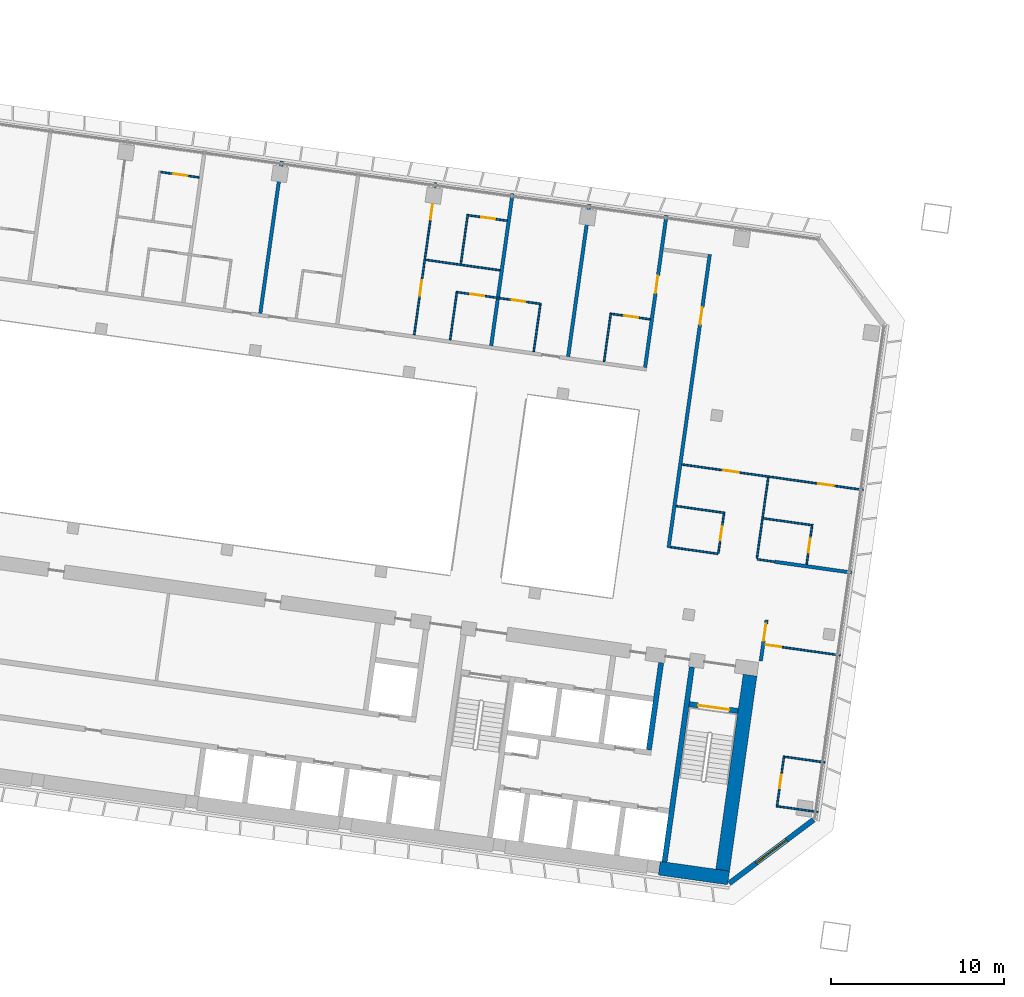
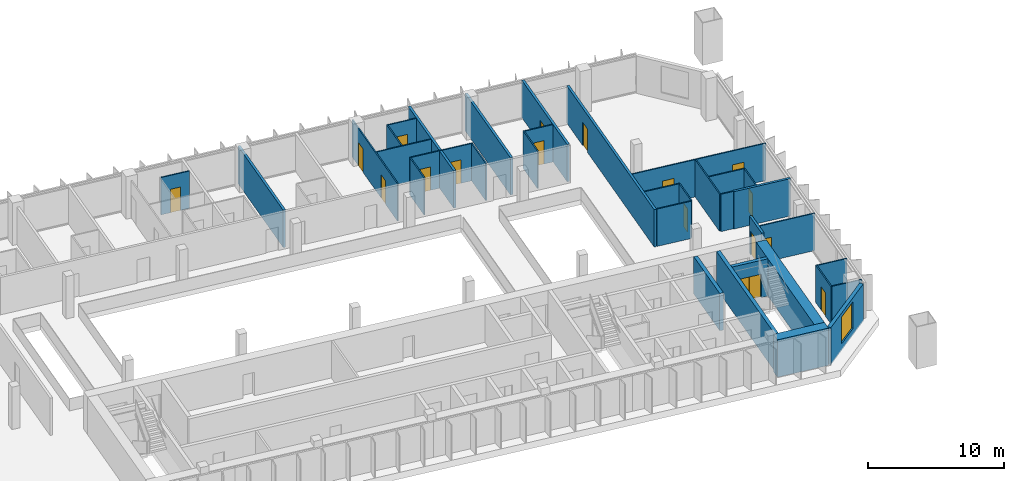
# One storey, part 17 of 26: 35 walls, 17 doors, 1 window, 18 openings.
"""IFC4 building model written with IfcOpenShell, lengths in metres."""

from ifc_helpers import new_model, si_unit, direction, frame, frame_2d, origin, place, context, subcontext, project, spatial, rectangle, extrude, material, layer, layer_set, type_object, element, fill, save


model = new_model("IFC4")

# Units and contexts
model_context = context("Model", 3, precision=1e-05, world=origin(), true_north=direction((0.0, 1.0)))
body_context = subcontext(model_context, "Body", "Model", "MODEL_VIEW")
ifc_project = project(units=[si_unit("LENGTHUNIT", "METRE"), si_unit("AREAUNIT", "SQUARE_METRE"), si_unit("VOLUMEUNIT", "CUBIC_METRE"), si_unit("PLANEANGLEUNIT", "RADIAN"), si_unit("MASSUNIT", "GRAM", prefix="KILO")], contexts=[model_context])

# Site, building, storey
site_placement = place(None, origin())
site = spatial("IfcSite", under=ifc_project, at=site_placement, CompositionType="ELEMENT")
building_placement = place(site_placement, origin())
building = spatial("IfcBuilding", under=site, at=building_placement, Name="Mirante Cascada Hotel Towers", CompositionType="ELEMENT")
storey_placement = place(building_placement, frame((0.0, 0.0, 140.5)))
storey = spatial("IfcBuildingStorey", under=building, at=storey_placement, Name="L32", CompositionType="ELEMENT", Elevation=140.5)

# Wall
ifc_material_1 = material(Name="Fire-rated plasterboard on metal studs")
ifc_layer_1 = layer(ifc_material_1, 0.2)
ifc_layer_set_1 = layer_set([ifc_layer_1], Name="Compartment wall 200 EI 120")
wall_type_1 = type_object("IfcWallType", Name="Compartment wall 200 EI 120", PredefinedType="PARTITIONING", material=ifc_layer_set_1)
wall_1_placement = place(storey_placement, frame((-34.4562, -1.3737, 0.0), z_axis=(0.0, 0.0, 1.0), x_axis=(0.9902674, -0.1391779, 0.0)))
element("IfcWall", 1, at=wall_1_placement, inside=storey, type_object=wall_type_1, Name="Wall 1-L32-04", PredefinedType="PARTITIONING", context=body_context, shape_type="SweptSolid", body=[
    extrude(rectangle(XDim=4.5, YDim=0.2, at=frame_2d((2.25, 0.0))), origin(), (0.0, 0.0, 1.0), 3.35),
])

# Wall, opening, door
wall_2_placement = place(storey_placement, frame((-34.9294, -4.7406, 0.0), z_axis=(0.0, 0.0, 1.0), x_axis=(-0.1391635, -0.9902694, 0.0)))
wall_2 = element("IfcWall", 2, at=wall_2_placement, inside=storey, type_object=wall_type_1, Name="Wall 1-L32-32", PredefinedType="PARTITIONING", context=body_context, shape_type="SweptSolid", body=[
    extrude(rectangle(XDim=2.4001, YDim=0.2, at=frame_2d((1.2, 0.0))), origin(), (0.0, 0.0, 1.0), 3.35),
])
opening_1_placement = place(wall_2_placement, frame((0.2167, 0.0, 0.0)))
opening_1 = element("IfcOpeningElement", 3, at=opening_1_placement, cuts=wall_2, Name="Opening D1-L32-24", PredefinedType="OPENING", context=body_context, shape_type="SweptSolid", body=[
    extrude(rectangle(XDim=1.0, YDim=2.1, at=frame_2d((0.5, 1.05))), frame((0.0, 0.1, 0.0), z_axis=(0.0, -1.0, 0.0), x_axis=(1.0, 0.0, 0.0)), (0.0, 0.0, 1.0), 0.2),
])
ifc_material_2 = material(Name="Fire-rated timber door leaf", Category="wood")
door_type_1 = type_object("IfcDoorType", Name="Entrance door DG1 1000x2100 EI 60", OperationType="SINGLE_SWING_LEFT", PredefinedType="DOOR", material=ifc_material_2)
door_1_placement = place(opening_1_placement, origin())
door_1 = element("IfcDoor", 4, at=door_1_placement, inside=storey, type_object=door_type_1, Name="Door D1-L32-24", OperationType="SINGLE_SWING_LEFT", OverallHeight=2.1, OverallWidth=1.0, PredefinedType="DOOR", context=body_context, shape_type="SweptSolid", body=[
    extrude(rectangle(XDim=1.0, YDim=2.1, at=frame_2d((0.5, 1.05))), frame((0.0, 0.025, 0.0), z_axis=(0.0, -1.0, 0.0), x_axis=(1.0, 0.0, 0.0)), (0.0, 0.0, 1.0), 0.05),
])
fill(opening_1, door_1)

wall_3_placement = place(storey_placement, frame((-40.6028, -0.5604, 0.0), z_axis=(0.0, 0.0, 1.0), x_axis=(0.139172, 0.9902682, 0.0)))
wall_3 = element("IfcWall", 5, at=wall_3_placement, inside=storey, type_object=wall_type_1, Name="Wall 1-L32-35", PredefinedType="PARTITIONING", context=body_context, shape_type="SweptSolid", body=[
    extrude(rectangle(XDim=17.15, YDim=0.2, at=frame_2d((8.575, 0.0))), origin(), (0.0, 0.0, 1.0), 3.35),
])
opening_2_placement = place(wall_3_placement, frame((13.05, 0.0, 0.0)))
opening_2 = element("IfcOpeningElement", 6, at=opening_2_placement, cuts=wall_3, Name="Opening D1-L32-26", PredefinedType="OPENING", context=body_context, shape_type="SweptSolid", body=[
    extrude(rectangle(XDim=1.0, YDim=2.1, at=frame_2d((0.5, 1.05))), frame((0.0, 0.1, 0.0), z_axis=(0.0, -1.0, 0.0), x_axis=(1.0, 0.0, 0.0)), (0.0, 0.0, 1.0), 0.2),
])
door_2_placement = place(opening_2_placement, frame((1.0, 0.0, 0.0), z_axis=(0.0, 0.0, 1.0), x_axis=(-1.0, 0.0, 0.0)))
door_2 = element("IfcDoor", 7, at=door_2_placement, inside=storey, type_object=door_type_1, Name="Door D1-L32-26", OperationType="SINGLE_SWING_RIGHT", OverallHeight=2.1, OverallWidth=1.0, PredefinedType="DOOR", context=body_context, shape_type="SweptSolid", body=[
    extrude(rectangle(XDim=1.0, YDim=2.1, at=frame_2d((0.5, 1.05))), frame((0.0, 0.025, 0.0), z_axis=(0.0, -1.0, 0.0), x_axis=(1.0, 0.0, 0.0)), (0.0, 0.0, 1.0), 0.05),
])
fill(opening_2, door_2)

wall_4_placement = place(storey_placement, frame((-40.7243, 18.6939, 0.0), z_axis=(0.0, 0.0, 1.0), x_axis=(-0.1391794, -0.9902672, 0.0)))
wall_4 = element("IfcWall", 8, at=wall_4_placement, inside=storey, type_object=wall_type_1, Name="Wall 1-L32-36", PredefinedType="PARTITIONING", context=body_context, shape_type="SweptSolid", body=[
    extrude(rectangle(XDim=8.9, YDim=0.2, at=frame_2d((4.45, 0.0))), origin(), (0.0, 0.0, 1.0), 3.35),
])
opening_3_placement = place(wall_4_placement, frame((3.55, 0.0, 0.0)))
opening_3 = element("IfcOpeningElement", 9, at=opening_3_placement, cuts=wall_4, Name="Opening D1-L32-27", PredefinedType="OPENING", context=body_context, shape_type="SweptSolid", body=[
    extrude(rectangle(XDim=1.0, YDim=2.1, at=frame_2d((0.5, 1.05))), frame((0.0, 0.1, 0.0), z_axis=(0.0, -1.0, 0.0), x_axis=(1.0, 0.0, 0.0)), (0.0, 0.0, 1.0), 0.2),
])
door_3_placement = place(opening_3_placement, frame((1.0, 0.0, 0.0), z_axis=(0.0, 0.0, 1.0), x_axis=(-1.0, 0.0, 0.0)))
door_3 = element("IfcDoor", 10, at=door_3_placement, inside=storey, type_object=door_type_1, Name="Door D1-L32-27", OperationType="SINGLE_SWING_RIGHT", OverallHeight=2.1, OverallWidth=1.0, PredefinedType="DOOR", context=body_context, shape_type="SweptSolid", body=[
    extrude(rectangle(XDim=1.0, YDim=2.1, at=frame_2d((0.5, 1.05))), frame((0.0, 0.025, 0.0), z_axis=(0.0, -1.0, 0.0), x_axis=(1.0, 0.0, 0.0)), (0.0, 0.0, 1.0), 0.05),
])
fill(opening_3, door_3)

# Walls
for number, where, z_axis, x_axis, name in (
    (11, (-45.1805, 19.3202, 0.0), (0.0, 0.0, 1.0), (-0.1391794, -0.9902672, 0.0), "Wall 1-L32-38"),
    (12, (-49.6367, 19.9465, 0.0), (0.0, 0.0, 1.0), (-0.1391794, -0.9902672, 0.0), "Wall 1-L32-40"),
    (13, (-63.0054, 21.8253, 0.0), (0.0, 0.0, 1.0), (-0.1391684, -0.9902687, 0.0), "Wall 1-L32-46"),
):
    element("IfcWall", number, at=place(storey_placement, frame(where, z_axis=z_axis, x_axis=x_axis)), inside=storey, type_object=wall_type_1, Name=name, PredefinedType="PARTITIONING", context=body_context, shape_type="SweptSolid", body=[
        extrude(rectangle(XDim=8.9, YDim=0.2, at=frame_2d((4.45, 0.0))), origin(), (0.0, 0.0, 1.0), 3.35),
    ])
ifc_material_3 = material(Name="Plasterboard on metal studs")
ifc_layer_2 = layer(ifc_material_3, 0.1)
ifc_layer_set_2 = layer_set([ifc_layer_2], Name="Partition 100")
wall_type_2 = type_object("IfcWallType", Name="Partition 100", PredefinedType="PARTITIONING", material=ifc_layer_set_2)
for number, where, z_axis, x_axis, name in (
    (14, (-31.9484, -15.8638, 0.0), (0.0, 0.0, 1.0), (-0.9902661, 0.139187, 0.0), "Wall 1-L32-01"),
    (15, (-33.872, -12.6649, 0.0), (0.0, 0.0, 1.0), (0.9902661, -0.139187, 0.0), "Wall 1-L32-02"),
):
    element("IfcWall", number, at=place(storey_placement, frame(where, z_axis=z_axis, x_axis=x_axis)), inside=storey, type_object=wall_type_2, Name=name, PredefinedType="PARTITIONING", context=body_context, shape_type="SweptSolid", body=[
        extrude(rectangle(XDim=2.3501, YDim=0.1, at=frame_2d((1.175, 0.0))), origin(), (0.0, 0.0, 1.0), 3.35),
    ])

# Wall, opening, door
wall_5_placement = place(storey_placement, frame((-30.6727, -6.7863, 0.0), z_axis=(0.0, 0.0, 1.0), x_axis=(-0.9902665, 0.1391841, 0.0)))
wall_5 = element("IfcWall", 16, at=wall_5_placement, inside=storey, type_object=wall_type_2, Name="Wall 1-L32-03", PredefinedType="PARTITIONING", context=body_context, shape_type="SweptSolid", body=[
    extrude(rectangle(XDim=4.3999, YDim=0.1, at=frame_2d((2.2, 0.0))), origin(), (0.0, 0.0, 1.0), 3.35),
])
opening_4_placement = place(wall_5_placement, frame((3.45, 0.0, 0.0)))
opening_4 = element("IfcOpeningElement", 17, at=opening_4_placement, cuts=wall_5, Name="Opening D1-L32-01", PredefinedType="OPENING", context=body_context, shape_type="SweptSolid", body=[
    extrude(rectangle(XDim=0.9, YDim=2.1, at=frame_2d((0.45, 1.05))), frame((0.0, 0.05, 0.0), z_axis=(0.0, -1.0, 0.0), x_axis=(1.0, 0.0, 0.0)), (0.0, 0.0, 1.0), 0.1),
])
ifc_material_4 = material(Name="Timber door leaf", Category="wood")
door_type_2 = type_object("IfcDoorType", Name="Room door DG3 900x2100", OperationType="SINGLE_SWING_LEFT", PredefinedType="DOOR", material=ifc_material_4)
door_4_placement = place(opening_4_placement, origin())
door_4 = element("IfcDoor", 18, at=door_4_placement, inside=storey, type_object=door_type_2, Name="Door D1-L32-01", OperationType="SINGLE_SWING_LEFT", OverallHeight=2.1, OverallWidth=0.9, PredefinedType="DOOR", context=body_context, shape_type="SweptSolid", body=[
    extrude(rectangle(XDim=0.9, YDim=2.1, at=frame_2d((0.45, 1.05))), frame((0.0, 0.025, 0.0), z_axis=(0.0, -1.0, 0.0), x_axis=(1.0, 0.0, 0.0)), (0.0, 0.0, 1.0), 0.05),
])
fill(opening_4, door_4)

# Walls
wall_6_placement = place(storey_placement, frame((-34.4859, -1.3695, 0.0), z_axis=(0.0, 0.0, 1.0), x_axis=(-0.9902801, 0.1390877, 0.0)))
element("IfcWall", 19, at=wall_6_placement, inside=storey, type_object=wall_type_2, Name="Wall 1-L32-05", PredefinedType="PARTITIONING", context=body_context, shape_type="SweptSolid", body=[
    extrude(rectangle(XDim=0.99, YDim=0.1, at=frame_2d((0.495, 0.0))), origin(), (0.0, 0.0, 1.0), 3.35),
])
wall_7_placement = place(storey_placement, frame((-40.4671, -0.5289, 0.0), z_axis=(0.0, 0.0, 1.0), x_axis=(0.9902645, -0.1391984, 0.0)))
element("IfcWall", 20, at=wall_7_placement, inside=storey, type_object=wall_type_2, Name="Wall 1-L32-06", PredefinedType="PARTITIONING", context=body_context, shape_type="SweptSolid", body=[
    extrude(rectangle(XDim=2.74, YDim=0.1, at=frame_2d((1.37, 0.0))), origin(), (0.0, 0.0, 1.0), 3.35),
])
wall_8_placement = place(storey_placement, frame((-32.2407, 0.7385, 0.0), z_axis=(0.0, 0.0, 1.0), x_axis=(-0.9902683, 0.1391714, 0.0)))
element("IfcWall", 21, at=wall_8_placement, inside=storey, type_object=wall_type_2, Name="Wall 1-L32-09", PredefinedType="PARTITIONING", context=body_context, shape_type="SweptSolid", body=[
    extrude(rectangle(XDim=2.9, YDim=0.1, at=frame_2d((1.45, 0.0))), origin(), (0.0, 0.0, 1.0), 3.35),
])
wall_9_placement = place(storey_placement, frame((-40.1628, 1.8519, 0.0), z_axis=(0.0, 0.0, 1.0), x_axis=(0.9902649, -0.1391957, 0.0)))
element("IfcWall", 22, at=wall_9_placement, inside=storey, type_object=wall_type_2, Name="Wall 1-L32-10", PredefinedType="PARTITIONING", context=body_context, shape_type="SweptSolid", body=[
    extrude(rectangle(XDim=2.8499, YDim=0.1, at=frame_2d((1.425, 0.0))), origin(), (0.0, 0.0, 1.0), 3.35),
])

# Wall, openings, doors
wall_10_placement = place(storey_placement, frame((-29.3273, 2.7863, 0.0), z_axis=(0.0, 0.0, 1.0), x_axis=(-0.9902686, 0.1391691, 0.0)))
wall_10 = element("IfcWall", 23, at=wall_10_placement, inside=storey, type_object=wall_type_2, Name="Wall 1-L32-11", PredefinedType="PARTITIONING", context=body_context, shape_type="SweptSolid", body=[
    extrude(rectangle(XDim=10.6001, YDim=0.1, at=frame_2d((5.3, 0.0))), origin(), (0.0, 0.0, 1.0), 3.35),
])
opening_5_placement = place(wall_10_placement, frame((1.725, 0.0, 0.0)))
opening_5 = element("IfcOpeningElement", 24, at=opening_5_placement, cuts=wall_10, Name="Opening D1-L32-02", PredefinedType="OPENING", context=body_context, shape_type="SweptSolid", body=[
    extrude(rectangle(XDim=0.9, YDim=2.1, at=frame_2d((0.45, 1.05))), frame((0.0, 0.05, 0.0), z_axis=(0.0, -1.0, 0.0), x_axis=(1.0, 0.0, 0.0)), (0.0, 0.0, 1.0), 0.1),
])
opening_6_placement = place(wall_10_placement, frame((7.275, 0.0, 0.0)))
opening_6 = element("IfcOpeningElement", 25, at=opening_6_placement, cuts=wall_10, Name="Opening D1-L32-03", PredefinedType="OPENING", context=body_context, shape_type="SweptSolid", body=[
    extrude(rectangle(XDim=0.9, YDim=2.1, at=frame_2d((0.45, 1.05))), frame((0.0, 0.05, 0.0), z_axis=(0.0, -1.0, 0.0), x_axis=(1.0, 0.0, 0.0)), (0.0, 0.0, 1.0), 0.1),
])
door_5_placement = place(opening_5_placement, frame((0.9, 0.0, 0.0), z_axis=(0.0, 0.0, 1.0), x_axis=(-1.0, 0.0, 0.0)))
door_5 = element("IfcDoor", 26, at=door_5_placement, inside=storey, type_object=door_type_2, Name="Door D1-L32-02", OperationType="SINGLE_SWING_RIGHT", OverallHeight=2.1, OverallWidth=0.9, PredefinedType="DOOR", context=body_context, shape_type="SweptSolid", body=[
    extrude(rectangle(XDim=0.9, YDim=2.1, at=frame_2d((0.45, 1.05))), frame((0.0, 0.025, 0.0), z_axis=(0.0, -1.0, 0.0), x_axis=(1.0, 0.0, 0.0)), (0.0, 0.0, 1.0), 0.05),
])
fill(opening_5, door_5)
door_6_placement = place(opening_6_placement, frame((0.9, 0.0, 0.0), z_axis=(0.0, 0.0, 1.0), x_axis=(-1.0, 0.0, 0.0)))
door_6 = element("IfcDoor", 27, at=door_6_placement, inside=storey, type_object=door_type_2, Name="Door D1-L32-03", OperationType="SINGLE_SWING_RIGHT", OverallHeight=2.1, OverallWidth=0.9, PredefinedType="DOOR", context=body_context, shape_type="SweptSolid", body=[
    extrude(rectangle(XDim=0.9, YDim=2.1, at=frame_2d((0.45, 1.05))), frame((0.0, 0.025, 0.0), z_axis=(0.0, -1.0, 0.0), x_axis=(1.0, 0.0, 0.0)), (0.0, 0.0, 1.0), 0.05),
])
fill(opening_6, door_6)

# Wall, opening, door
wall_11_placement = place(storey_placement, frame((-41.6723, 12.6672, 0.0), z_axis=(0.0, 0.0, 1.0), x_axis=(-0.9902643, 0.1391997, 0.0)))
wall_11 = element("IfcWall", 28, at=wall_11_placement, inside=storey, type_object=wall_type_2, Name="Wall 1-L32-17", PredefinedType="PARTITIONING", context=body_context, shape_type="SweptSolid", body=[
    extrude(rectangle(XDim=2.25, YDim=0.1, at=frame_2d((1.125, 0.0))), origin(), (0.0, 0.0, 1.0), 3.35),
])
opening_7_placement = place(wall_11_placement, frame((0.7, 0.0, 0.0)))
opening_7 = element("IfcOpeningElement", 29, at=opening_7_placement, cuts=wall_11, Name="Opening D1-L32-12", PredefinedType="OPENING", context=body_context, shape_type="SweptSolid", body=[
    extrude(rectangle(XDim=0.8, YDim=2.1, at=frame_2d((0.4, 1.05))), frame((0.0, 0.05, 0.0), z_axis=(0.0, -1.0, 0.0), x_axis=(1.0, 0.0, 0.0)), (0.0, 0.0, 1.0), 0.1),
])
ifc_material_5 = material(Name="Timber door leaf", Category="wood")
door_type_3 = type_object("IfcDoorType", Name="Bathroom door DG4 800x2100", OperationType="SINGLE_SWING_LEFT", PredefinedType="DOOR", material=ifc_material_5)
door_7_placement = place(opening_7_placement, frame((0.8, 0.0, 0.0), z_axis=(0.0, 0.0, 1.0), x_axis=(-1.0, 0.0, 0.0)))
door_7 = element("IfcDoor", 30, at=door_7_placement, inside=storey, type_object=door_type_3, Name="Door D1-L32-12", OperationType="SINGLE_SWING_RIGHT", OverallHeight=2.1, OverallWidth=0.8, PredefinedType="DOOR", context=body_context, shape_type="SweptSolid", body=[
    extrude(rectangle(XDim=0.8, YDim=2.1, at=frame_2d((0.4, 1.05))), frame((0.0, 0.025, 0.0), z_axis=(0.0, -1.0, 0.0), x_axis=(1.0, 0.0, 0.0)), (0.0, 0.0, 1.0), 0.05),
])
fill(opening_7, door_7)

# Wall, openings, doors
wall_12_placement = place(storey_placement, frame((-52.9119, 14.2468, 0.0), z_axis=(0.0, 0.0, 1.0), x_axis=(0.9902689, -0.139167, 0.0)))
wall_12 = element("IfcWall", 31, at=wall_12_placement, inside=storey, type_object=wall_type_2, Name="Wall 1-L32-18", PredefinedType="PARTITIONING", context=body_context, shape_type="SweptSolid", body=[
    extrude(rectangle(XDim=4.9875, YDim=0.1, at=frame_2d((2.4938, 0.0))), origin(), (0.0, 0.0, 1.0), 3.35),
])
opening_8_placement = place(wall_12_placement, frame((3.25, 0.0, 0.0)))
opening_8 = element("IfcOpeningElement", 32, at=opening_8_placement, cuts=wall_12, Name="Opening D1-L32-13", PredefinedType="OPENING", context=body_context, shape_type="SweptSolid", body=[
    extrude(rectangle(XDim=0.8, YDim=2.1, at=frame_2d((0.4, 1.05))), frame((0.0, 0.05, 0.0), z_axis=(0.0, -1.0, 0.0), x_axis=(1.0, 0.0, 0.0)), (0.0, 0.0, 1.0), 0.1),
])
opening_9_placement = place(wall_12_placement, frame((0.85, 0.0, 0.0)))
opening_9 = element("IfcOpeningElement", 33, at=opening_9_placement, cuts=wall_12, Name="Opening D1-L32-14", PredefinedType="OPENING", context=body_context, shape_type="SweptSolid", body=[
    extrude(rectangle(XDim=0.8, YDim=2.1, at=frame_2d((0.4, 1.05))), frame((0.0, 0.05, 0.0), z_axis=(0.0, -1.0, 0.0), x_axis=(1.0, 0.0, 0.0)), (0.0, 0.0, 1.0), 0.1),
])
door_8_placement = place(opening_8_placement, origin())
door_8 = element("IfcDoor", 34, at=door_8_placement, inside=storey, type_object=door_type_3, Name="Door D1-L32-13", OperationType="SINGLE_SWING_LEFT", OverallHeight=2.1, OverallWidth=0.8, PredefinedType="DOOR", context=body_context, shape_type="SweptSolid", body=[
    extrude(rectangle(XDim=0.8, YDim=2.1, at=frame_2d((0.4, 1.05))), frame((0.0, 0.025, 0.0), z_axis=(0.0, -1.0, 0.0), x_axis=(1.0, 0.0, 0.0)), (0.0, 0.0, 1.0), 0.05),
])
fill(opening_8, door_8)
door_9_placement = place(opening_9_placement, frame((0.8, 0.0, 0.0), z_axis=(0.0, 0.0, 1.0), x_axis=(-1.0, 0.0, 0.0)))
door_9 = element("IfcDoor", 35, at=door_9_placement, inside=storey, type_object=door_type_3, Name="Door D1-L32-14", OperationType="SINGLE_SWING_RIGHT", OverallHeight=2.1, OverallWidth=0.8, PredefinedType="DOOR", context=body_context, shape_type="SweptSolid", body=[
    extrude(rectangle(XDim=0.8, YDim=2.1, at=frame_2d((0.4, 1.05))), frame((0.0, 0.025, 0.0), z_axis=(0.0, -1.0, 0.0), x_axis=(1.0, 0.0, 0.0)), (0.0, 0.0, 1.0), 0.05),
])
fill(opening_9, door_9)

# Wall
wall_13_placement = place(storey_placement, frame((-50.362, 15.5042, 0.0), z_axis=(0.0, 0.0, 1.0), x_axis=(-0.9902683, 0.1391714, 0.0)))
element("IfcWall", 36, at=wall_13_placement, inside=storey, type_object=wall_type_2, Name="Wall 1-L32-23", PredefinedType="PARTITIONING", context=body_context, shape_type="SweptSolid", body=[
    extrude(rectangle(XDim=4.35, YDim=0.1, at=frame_2d((2.175, 0.0))), origin(), (0.0, 0.0, 1.0), 3.35),
])

# Wall, opening, door
wall_14_placement = place(storey_placement, frame((-52.1865, 18.6891, 0.0), z_axis=(0.0, 0.0, 1.0), x_axis=(0.9902705, -0.1391561, 0.0)))
wall_14 = element("IfcWall", 37, at=wall_14_placement, inside=storey, type_object=wall_type_2, Name="Wall 1-L32-28", PredefinedType="PARTITIONING", context=body_context, shape_type="SweptSolid", body=[
    extrude(rectangle(XDim=2.25, YDim=0.1, at=frame_2d((1.125, 0.0))), origin(), (0.0, 0.0, 1.0), 3.35),
])
opening_10_placement = place(wall_14_placement, frame((0.75, 0.0, 0.0)))
opening_10 = element("IfcOpeningElement", 38, at=opening_10_placement, cuts=wall_14, Name="Opening D1-L32-20", PredefinedType="OPENING", context=body_context, shape_type="SweptSolid", body=[
    extrude(rectangle(XDim=0.8, YDim=2.1, at=frame_2d((0.4, 1.05))), frame((0.0, 0.05, 0.0), z_axis=(0.0, -1.0, 0.0), x_axis=(1.0, 0.0, 0.0)), (0.0, 0.0, 1.0), 0.1),
])
door_10_placement = place(opening_10_placement, frame((0.8, 0.0, 0.0), z_axis=(0.0, 0.0, 1.0), x_axis=(-1.0, 0.0, 0.0)))
door_10 = element("IfcDoor", 39, at=door_10_placement, inside=storey, type_object=door_type_3, Name="Door D1-L32-20", OperationType="SINGLE_SWING_RIGHT", OverallHeight=2.1, OverallWidth=0.8, PredefinedType="DOOR", context=body_context, shape_type="SweptSolid", body=[
    extrude(rectangle(XDim=0.8, YDim=2.1, at=frame_2d((0.4, 1.05))), frame((0.0, 0.025, 0.0), z_axis=(0.0, -1.0, 0.0), x_axis=(1.0, 0.0, 0.0)), (0.0, 0.0, 1.0), 0.05),
])
fill(opening_10, door_10)

wall_15_placement = place(storey_placement, frame((-67.7833, 20.8811, 0.0), z_axis=(0.0, 0.0, 1.0), x_axis=(-0.9902705, 0.1391561, 0.0)))
wall_15 = element("IfcWall", 40, at=wall_15_placement, inside=storey, type_object=wall_type_2, Name="Wall 1-L32-29", PredefinedType="PARTITIONING", context=body_context, shape_type="SweptSolid", body=[
    extrude(rectangle(XDim=2.25, YDim=0.1, at=frame_2d((1.125, 0.0))), origin(), (0.0, 0.0, 1.0), 3.35),
])
opening_11_placement = place(wall_15_placement, frame((0.7, 0.0, 0.0)))
opening_11 = element("IfcOpeningElement", 41, at=opening_11_placement, cuts=wall_15, Name="Opening D1-L32-21", PredefinedType="OPENING", context=body_context, shape_type="SweptSolid", body=[
    extrude(rectangle(XDim=0.8, YDim=2.1, at=frame_2d((0.4, 1.05))), frame((0.0, 0.05, 0.0), z_axis=(0.0, -1.0, 0.0), x_axis=(1.0, 0.0, 0.0)), (0.0, 0.0, 1.0), 0.1),
])
door_11_placement = place(opening_11_placement, origin())
door_11 = element("IfcDoor", 42, at=door_11_placement, inside=storey, type_object=door_type_3, Name="Door D1-L32-21", OperationType="SINGLE_SWING_LEFT", OverallHeight=2.1, OverallWidth=0.8, PredefinedType="DOOR", context=body_context, shape_type="SweptSolid", body=[
    extrude(rectangle(XDim=0.8, YDim=2.1, at=frame_2d((0.4, 1.05))), frame((0.0, 0.025, 0.0), z_axis=(0.0, -1.0, 0.0), x_axis=(1.0, 0.0, 0.0)), (0.0, 0.0, 1.0), 0.05),
])
fill(opening_11, door_11)

wall_16_placement = place(storey_placement, frame((-33.9145, -12.6084, 0.0), z_axis=(0.0, 0.0, 1.0), x_axis=(-0.1391624, -0.9902696, 0.0)))
wall_16 = element("IfcWall", 43, at=wall_16_placement, inside=storey, type_object=wall_type_2, Name="Wall 1-L32-30", PredefinedType="PARTITIONING", context=body_context, shape_type="SweptSolid", body=[
    extrude(rectangle(XDim=3.0001, YDim=0.1, at=frame_2d((1.5001, 0.0))), origin(), (0.0, 0.0, 1.0), 3.35),
])
opening_12_placement = place(wall_16_placement, frame((1.1, 0.0, 0.0)))
opening_12 = element("IfcOpeningElement", 44, at=opening_12_placement, cuts=wall_16, Name="Opening D1-L32-22", PredefinedType="OPENING", context=body_context, shape_type="SweptSolid", body=[
    extrude(rectangle(XDim=0.8, YDim=2.1, at=frame_2d((0.4, 1.05))), frame((0.0, 0.05, 0.0), z_axis=(0.0, -1.0, 0.0), x_axis=(1.0, 0.0, 0.0)), (0.0, 0.0, 1.0), 0.1),
])
door_12_placement = place(opening_12_placement, frame((0.8, 0.0, 0.0), z_axis=(0.0, 0.0, 1.0), x_axis=(-1.0, 0.0, 0.0)))
door_12 = element("IfcDoor", 45, at=door_12_placement, inside=storey, type_object=door_type_3, Name="Door D1-L32-22", OperationType="SINGLE_SWING_RIGHT", OverallHeight=2.1, OverallWidth=0.8, PredefinedType="DOOR", context=body_context, shape_type="SweptSolid", body=[
    extrude(rectangle(XDim=0.8, YDim=2.1, at=frame_2d((0.4, 1.05))), frame((0.0, 0.025, 0.0), z_axis=(0.0, -1.0, 0.0), x_axis=(1.0, 0.0, 0.0)), (0.0, 0.0, 1.0), 0.05),
])
fill(opening_12, door_12)

wall_17_placement = place(storey_placement, frame((-32.6103, -1.5322, 0.0), z_axis=(0.0, 0.0, 1.0), x_axis=(0.1391561, 0.9902705, 0.0)))
wall_17 = element("IfcWall", 46, at=wall_17_placement, inside=storey, type_object=wall_type_2, Name="Wall 1-L32-31", PredefinedType="PARTITIONING", context=body_context, shape_type="SweptSolid", body=[
    extrude(rectangle(XDim=2.25, YDim=0.1, at=frame_2d((1.125, 0.0))), origin(), (0.0, 0.0, 1.0), 3.35),
])
opening_13_placement = place(wall_17_placement, frame((0.7, 0.0, 0.0)))
opening_13 = element("IfcOpeningElement", 47, at=opening_13_placement, cuts=wall_17, Name="Opening D1-L32-23", PredefinedType="OPENING", context=body_context, shape_type="SweptSolid", body=[
    extrude(rectangle(XDim=0.8, YDim=2.1, at=frame_2d((0.4, 1.05))), frame((0.0, 0.05, 0.0), z_axis=(0.0, -1.0, 0.0), x_axis=(1.0, 0.0, 0.0)), (0.0, 0.0, 1.0), 0.1),
])
door_13_placement = place(opening_13_placement, origin())
door_13 = element("IfcDoor", 48, at=door_13_placement, inside=storey, type_object=door_type_3, Name="Door D1-L32-23", OperationType="SINGLE_SWING_LEFT", OverallHeight=2.1, OverallWidth=0.8, PredefinedType="DOOR", context=body_context, shape_type="SweptSolid", body=[
    extrude(rectangle(XDim=0.8, YDim=2.1, at=frame_2d((0.4, 1.05))), frame((0.0, 0.025, 0.0), z_axis=(0.0, -1.0, 0.0), x_axis=(1.0, 0.0, 0.0)), (0.0, 0.0, 1.0), 0.05),
])
fill(opening_13, door_13)

# Wall
wall_18_placement = place(storey_placement, frame((-35.489, -1.1781, 0.0), z_axis=(0.0, 0.0, 1.0), x_axis=(0.1391613, 0.9902697, 0.0)))
element("IfcWall", 49, at=wall_18_placement, inside=storey, type_object=wall_type_2, Name="Wall 1-L32-33", PredefinedType="PARTITIONING", context=body_context, shape_type="SweptSolid", body=[
    extrude(rectangle(XDim=4.7334, YDim=0.1, at=frame_2d((2.3667, 0.0))), origin(), (0.0, 0.0, 1.0), 3.35),
])

# Wall, opening, door
wall_19_placement = place(storey_placement, frame((-37.397, 1.4127, 0.0), z_axis=(0.0, 0.0, 1.0), x_axis=(-0.1391749, -0.9902678, 0.0)))
wall_19 = element("IfcWall", 50, at=wall_19_placement, inside=storey, type_object=wall_type_2, Name="Wall 1-L32-34", PredefinedType="PARTITIONING", context=body_context, shape_type="SweptSolid", body=[
    extrude(rectangle(XDim=2.3, YDim=0.1, at=frame_2d((1.15, 0.0))), origin(), (0.0, 0.0, 1.0), 3.35),
])
opening_14_placement = place(wall_19_placement, frame((0.75, 0.0, 0.0)))
opening_14 = element("IfcOpeningElement", 51, at=opening_14_placement, cuts=wall_19, Name="Opening D1-L32-25", PredefinedType="OPENING", context=body_context, shape_type="SweptSolid", body=[
    extrude(rectangle(XDim=0.8, YDim=2.1, at=frame_2d((0.4, 1.05))), frame((0.0, 0.05, 0.0), z_axis=(0.0, -1.0, 0.0), x_axis=(1.0, 0.0, 0.0)), (0.0, 0.0, 1.0), 0.1),
])
door_14_placement = place(opening_14_placement, frame((0.8, 0.0, 0.0), z_axis=(0.0, 0.0, 1.0), x_axis=(-1.0, 0.0, 0.0)))
door_14 = element("IfcDoor", 52, at=door_14_placement, inside=storey, type_object=door_type_3, Name="Door D1-L32-25", OperationType="SINGLE_SWING_RIGHT", OverallHeight=2.1, OverallWidth=0.8, PredefinedType="DOOR", context=body_context, shape_type="SweptSolid", body=[
    extrude(rectangle(XDim=0.8, YDim=2.1, at=frame_2d((0.4, 1.05))), frame((0.0, 0.025, 0.0), z_axis=(0.0, -1.0, 0.0), x_axis=(1.0, 0.0, 0.0)), (0.0, 0.0, 1.0), 0.05),
])
fill(opening_14, door_14)

# Walls
wall_20_placement = place(storey_placement, frame((-44.3396, 10.2146, 0.0), z_axis=(0.0, 0.0, 1.0), x_axis=(0.1391613, 0.9902697, 0.0)))
element("IfcWall", 53, at=wall_20_placement, inside=storey, type_object=wall_type_2, Name="Wall 1-L32-37", PredefinedType="PARTITIONING", context=body_context, shape_type="SweptSolid", body=[
    extrude(rectangle(XDim=2.8499, YDim=0.1, at=frame_2d((1.425, 0.0))), origin(), (0.0, 0.0, 1.0), 3.35),
])
wall_21_placement = place(storey_placement, frame((-48.4121, 10.7869, 0.0), z_axis=(0.0, 0.0, 1.0), x_axis=(0.1391657, 0.9902691, 0.0)))
element("IfcWall", 54, at=wall_21_placement, inside=storey, type_object=wall_type_2, Name="Wall 1-L32-39", PredefinedType="PARTITIONING", context=body_context, shape_type="SweptSolid", body=[
    extrude(rectangle(XDim=2.75, YDim=0.1, at=frame_2d((1.375, 0.0))), origin(), (0.0, 0.0, 1.0), 3.35),
])
wall_22_placement = place(storey_placement, frame((-53.252, 11.4671, 0.0), z_axis=(0.0, 0.0, 1.0), x_axis=(0.1391607, 0.9902698, 0.0)))
element("IfcWall", 55, at=wall_22_placement, inside=storey, type_object=wall_type_2, Name="Wall 1-L32-41", PredefinedType="PARTITIONING", context=body_context, shape_type="SweptSolid", body=[
    extrude(rectangle(XDim=2.7501, YDim=0.1, at=frame_2d((1.3751, 0.0))), origin(), (0.0, 0.0, 1.0), 3.35),
])
wall_23_placement = place(storey_placement, frame((-52.2291, 18.7456, 0.0), z_axis=(0.0, 0.0, 1.0), x_axis=(-0.1391714, -0.9902683, 0.0)))
element("IfcWall", 56, at=wall_23_placement, inside=storey, type_object=wall_type_2, Name="Wall 1-L32-42", PredefinedType="PARTITIONING", context=body_context, shape_type="SweptSolid", body=[
    extrude(rectangle(XDim=2.9, YDim=0.1, at=frame_2d((1.45, 0.0))), origin(), (0.0, 0.0, 1.0), 3.35),
])

# Wall, openings, doors
wall_24_placement = place(storey_placement, frame((-55.3316, 11.7594, 0.0), z_axis=(0.0, 0.0, 1.0), x_axis=(0.1391794, 0.9902672, 0.0)))
wall_24 = element("IfcWall", 57, at=wall_24_placement, inside=storey, type_object=wall_type_2, Name="Wall 1-L32-43", PredefinedType="PARTITIONING", context=body_context, shape_type="SweptSolid", body=[
    extrude(rectangle(XDim=8.9, YDim=0.1, at=frame_2d((4.45, 0.0))), origin(), (0.0, 0.0, 1.0), 3.35),
])
opening_15_placement = place(wall_24_placement, frame((2.3, 0.0, 0.0)))
opening_15 = element("IfcOpeningElement", 58, at=opening_15_placement, cuts=wall_24, Name="Opening D1-L32-28", PredefinedType="OPENING", context=body_context, shape_type="SweptSolid", body=[
    extrude(rectangle(XDim=0.9, YDim=2.1, at=frame_2d((0.45, 1.05))), frame((0.0, 0.05, 0.0), z_axis=(0.0, -1.0, 0.0), x_axis=(1.0, 0.0, 0.0)), (0.0, 0.0, 1.0), 0.1),
])
opening_16_placement = place(wall_24_placement, frame((6.75, 0.0, 0.0)))
opening_16 = element("IfcOpeningElement", 59, at=opening_16_placement, cuts=wall_24, Name="Opening D1-L32-29", PredefinedType="OPENING", context=body_context, shape_type="SweptSolid", body=[
    extrude(rectangle(XDim=0.9, YDim=2.1, at=frame_2d((0.45, 1.05))), frame((0.0, 0.05, 0.0), z_axis=(0.0, -1.0, 0.0), x_axis=(1.0, 0.0, 0.0)), (0.0, 0.0, 1.0), 0.1),
])
door_15_placement = place(opening_15_placement, origin())
door_15 = element("IfcDoor", 60, at=door_15_placement, inside=storey, type_object=door_type_2, Name="Door D1-L32-28", OperationType="SINGLE_SWING_LEFT", OverallHeight=2.1, OverallWidth=0.9, PredefinedType="DOOR", context=body_context, shape_type="SweptSolid", body=[
    extrude(rectangle(XDim=0.9, YDim=2.1, at=frame_2d((0.45, 1.05))), frame((0.0, 0.025, 0.0), z_axis=(0.0, -1.0, 0.0), x_axis=(1.0, 0.0, 0.0)), (0.0, 0.0, 1.0), 0.05),
])
fill(opening_15, door_15)
door_16_placement = place(opening_16_placement, origin())
door_16 = element("IfcDoor", 61, at=door_16_placement, inside=storey, type_object=door_type_2, Name="Door D1-L32-29", OperationType="SINGLE_SWING_LEFT", OverallHeight=2.1, OverallWidth=0.9, PredefinedType="DOOR", context=body_context, shape_type="SweptSolid", body=[
    extrude(rectangle(XDim=0.9, YDim=2.1, at=frame_2d((0.45, 1.05))), frame((0.0, 0.025, 0.0), z_axis=(0.0, -1.0, 0.0), x_axis=(1.0, 0.0, 0.0)), (0.0, 0.0, 1.0), 0.05),
])
fill(opening_16, door_16)

# Wall, opening, window
ifc_material_6 = material(Name="Precast concrete C40/50", Category="concrete")
ifc_layer_3 = layer(ifc_material_6, 0.3)
ifc_layer_set_3 = layer_set([ifc_layer_3], Name="Precast concrete C40/50 cladding wall 300")
wall_type_3 = type_object("IfcWallType", Name="Precast concrete C40/50 cladding wall 300", PredefinedType="STANDARD", material=ifc_layer_set_3)
wall_25_placement = place(storey_placement, frame((-32.2074, -16.3138, 0.0), z_axis=(0.0, 0.0, 1.0), x_axis=(-0.7986362, -0.6018141, 0.0)))
wall_25 = element("IfcWall", 62, at=wall_25_placement, inside=storey, type_object=wall_type_3, Name="Corner cladding wall T1 L32 inner rear", PredefinedType="STANDARD", context=body_context, shape_type="SweptSolid", body=[
    extrude(rectangle(XDim=6.1157, YDim=0.3, at=frame_2d((3.0578, 0.0))), origin(), (0.0, 0.0, 1.0), 3.35),
])
opening_17_placement = place(wall_25_placement, frame((1.9578, 0.0, 0.6)))
opening_17 = element("IfcOpeningElement", 63, at=opening_17_placement, cuts=wall_25, Name="Opening W1-32-06", PredefinedType="OPENING", context=body_context, shape_type="SweptSolid", body=[
    extrude(rectangle(XDim=2.2, YDim=2.4, at=frame_2d((1.1, 1.2))), frame((0.0, 0.15, 0.0), z_axis=(0.0, -1.0, 0.0), x_axis=(1.0, 0.0, 0.0)), (0.0, 0.0, 1.0), 0.3),
])
ifc_material_7 = material(Name="Aluminium frame with clear double glazing", Category="aluminium")
window_type = type_object("IfcWindowType", Name="Corner suite window 2200x2400", PartitioningType="DOUBLE_PANEL_VERTICAL", PredefinedType="WINDOW", material=ifc_material_7)
window_placement = place(opening_17_placement, origin())
window = element("IfcWindow", 64, at=window_placement, inside=storey, type_object=window_type, Name="Window W1-32-06", OverallHeight=2.4, OverallWidth=2.2, PartitioningType="SINGLE_PANEL", PredefinedType="WINDOW", context=body_context, shape_type="SweptSolid", body=[
    extrude(rectangle(XDim=2.2, YDim=2.4, at=frame_2d((1.1, 1.2))), frame((0.0, 0.03, 0.0), z_axis=(0.0, -1.0, 0.0), x_axis=(1.0, 0.0, 0.0)), (0.0, 0.0, 1.0), 0.06),
])
fill(opening_17, window)

# Wall
ifc_material_8 = material(Name="Concrete C50/60", Category="concrete")
ifc_layer_4 = layer(ifc_material_8, 0.3)
ifc_layer_set_4 = layer_set([ifc_layer_4], Name="RC core wall 300 C50/60")
wall_type_4 = type_object("IfcWallType", Name="RC core wall 300 C50/60", PredefinedType="SHEAR", material=ifc_layer_set_4)
wall_26_placement = place(storey_placement, frame((-40.8373, -18.7548, 0.0), z_axis=(0.0, 0.0, 1.0), x_axis=(0.1391749, 0.9902678, 0.0)))
element("IfcWall", 65, at=wall_26_placement, inside=storey, type_object=wall_type_4, Name="Core wall T1:L32:5", PredefinedType="SHEAR", context=body_context, shape_type="SweptSolid", body=[
    extrude(rectangle(XDim=11.4, YDim=0.3, at=frame_2d((5.7, 0.0))), origin(), (0.0, 0.0, 1.0), 3.35),
])

# Wall, opening, door
wall_27_placement = place(storey_placement, frame((-36.5791, -10.0123, 0.0), z_axis=(0.0, 0.0, 1.0), x_axis=(-0.9902704, 0.1391564, 0.0)))
wall_27 = element("IfcWall", 66, at=wall_27_placement, inside=storey, type_object=wall_type_4, Name="Core wall T1:L32:9", PredefinedType="SHEAR", context=body_context, shape_type="SweptSolid", body=[
    extrude(rectangle(XDim=2.85, YDim=0.3, at=frame_2d((1.425, 0.0))), origin(), (0.0, 0.0, 1.0), 3.35),
])
opening_18_placement = place(wall_27_placement, frame((0.525, 0.0, 0.0)))
opening_18 = element("IfcOpeningElement", 67, at=opening_18_placement, cuts=wall_27, Name="Opening D1-32-C13", PredefinedType="OPENING", context=body_context, shape_type="SweptSolid", body=[
    extrude(rectangle(XDim=1.8, YDim=2.1, at=frame_2d((0.9, 1.05))), frame((0.0, 0.15, 0.0), z_axis=(0.0, -1.0, 0.0), x_axis=(1.0, 0.0, 0.0)), (0.0, 0.0, 1.0), 0.3),
])
ifc_material_9 = material(Name="Hollow metal fire door leaf")
door_type_4 = type_object("IfcDoorType", Name="Double fire door 1800x2100 FD60", OperationType="DOUBLE_DOOR_SINGLE_SWING", PredefinedType="DOOR", material=ifc_material_9)
door_17_placement = place(opening_18_placement, origin())
door_17 = element("IfcDoor", 68, at=door_17_placement, inside=storey, type_object=door_type_4, Name="Stair door T1 L32 13", OperationType="DOUBLE_DOOR_SINGLE_SWING", OverallHeight=2.1, OverallWidth=1.8, PredefinedType="DOOR", context=body_context, shape_type="SweptSolid", body=[
    extrude(rectangle(XDim=0.895, YDim=2.1, at=frame_2d((0.4475, 1.05))), frame((0.0, 0.025, 0.0), z_axis=(0.0, -1.0, 0.0), x_axis=(1.0, 0.0, 0.0)), (0.0, 0.0, 1.0), 0.05),
    extrude(rectangle(XDim=0.895, YDim=2.1, at=frame_2d((1.3525, 1.05))), frame((0.0, 0.025, 0.0), z_axis=(0.0, -1.0, 0.0), x_axis=(1.0, 0.0, 0.0)), (0.0, 0.0, 1.0), 0.05),
])
fill(opening_18, door_17)

# Walls
wall_28_placement = place(storey_placement, frame((-41.743, -12.2656, 0.0), z_axis=(0.0, 0.0, 1.0), x_axis=(0.1391755, 0.9902677, 0.0)))
element("IfcWall", 69, at=wall_28_placement, inside=storey, type_object=wall_type_4, Name="Core wall T1:L32:20", PredefinedType="SHEAR", context=body_context, shape_type="SweptSolid", body=[
    extrude(rectangle(XDim=5.1, YDim=0.3, at=frame_2d((2.55, 0.0))), origin(), (0.0, 0.0, 1.0), 3.35),
])
ifc_material_10 = material(Name="Concrete C50/60", Category="concrete")
ifc_layer_5 = layer(ifc_material_10, 0.8)
ifc_layer_set_5 = layer_set([ifc_layer_5], Name="RC core wall 800 C50/60")
wall_type_5 = type_object("IfcWallType", Name="RC core wall 800 C50/60", PredefinedType="SHEAR", material=ifc_layer_set_5)
wall_29_placement = place(storey_placement, frame((-37.1299, -19.6798, 0.0), z_axis=(0.0, 0.0, 1.0), x_axis=(-0.9902665, 0.1391845, 0.0)))
element("IfcWall", 70, at=wall_29_placement, inside=storey, type_object=wall_type_5, Name="Core wall T1:L32:1.1", PredefinedType="SHEAR", context=body_context, shape_type="SweptSolid", body=[
    extrude(rectangle(XDim=4.05, YDim=0.8, at=frame_2d((2.025, 0.0))), origin(), (0.0, 0.0, 1.0), 3.35),
])
wall_30_placement = place(storey_placement, frame((-37.4704, -19.228, 0.0), z_axis=(0.0, 0.0, 1.0), x_axis=(0.1391749, 0.9902678, 0.0)))
element("IfcWall", 71, at=wall_30_placement, inside=storey, type_object=wall_type_5, Name="Core wall T1:L32:3", PredefinedType="SHEAR", context=body_context, shape_type="SweptSolid", body=[
    extrude(rectangle(XDim=11.4, YDim=0.8, at=frame_2d((5.7, 0.0))), origin(), (0.0, 0.0, 1.0), 3.35),
])

save(model, "model.ifc")
